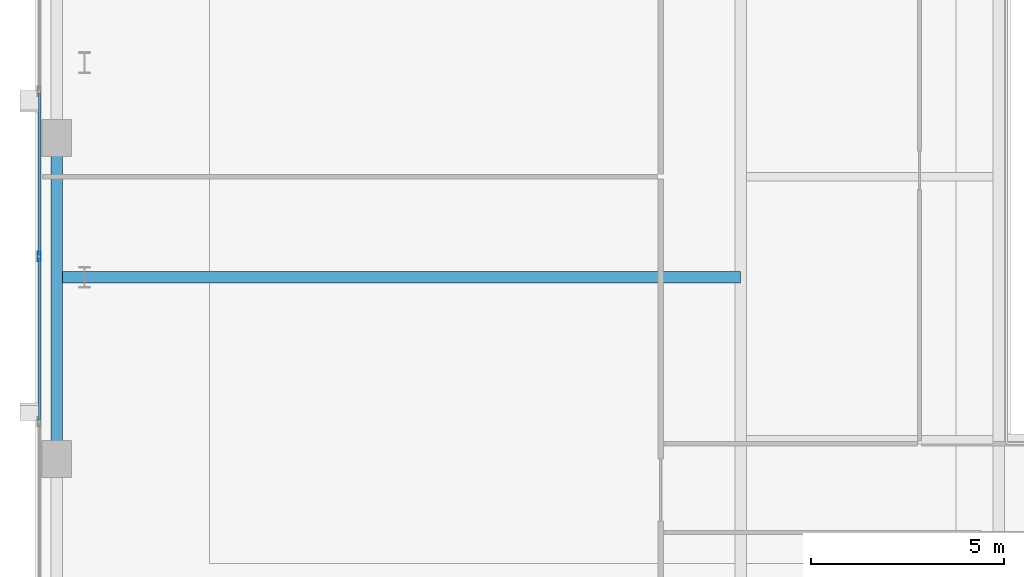
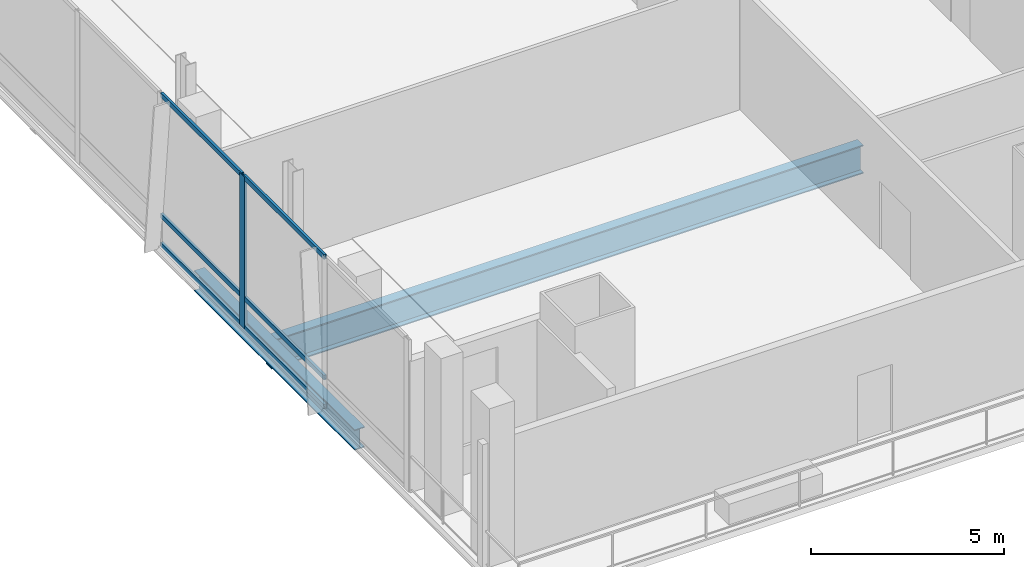
# One storey, part 6 of 25: 7 members, 2 beams, 1 element without a shape of its own.
"""IFC4 building model written with IfcOpenShell, lengths in metres."""

from ifc_helpers import new_model, si_unit, direction, frame, origin, origin_2d, place, context, subcontext, project, spatial, hollow_rectangle, i_section, extrude, material, material_profile, profile_set, type_object, element, aggregate, save


model = new_model("IFC4")

# Units and contexts
model_context = context("Model", 3, precision=1e-05, world=origin(), true_north=direction((0.0, 1.0)))
body_context = subcontext(model_context, "Body", "Model", "MODEL_VIEW")
ifc_project = project(units=[si_unit("LENGTHUNIT", "METRE"), si_unit("AREAUNIT", "SQUARE_METRE"), si_unit("VOLUMEUNIT", "CUBIC_METRE"), si_unit("PLANEANGLEUNIT", "RADIAN"), si_unit("MASSUNIT", "GRAM", prefix="KILO")], contexts=[model_context])

# Site, building, storey
site_placement = place(None, origin())
site = spatial("IfcSite", under=ifc_project, at=site_placement, CompositionType="ELEMENT")
building_placement = place(site_placement, origin())
building = spatial("IfcBuilding", under=site, at=building_placement, Name="Khoronbel Lancet Exchange", CompositionType="ELEMENT")
storey_placement = place(building_placement, frame((0.0, 0.0, 10.39990234375)))
storey = spatial("IfcBuildingStorey", under=building, at=storey_placement, Name="L02", CompositionType="ELEMENT", Elevation=10.39990234375)

# Beams
ifc_material_1 = material(Name="Steel S355", Category="steel")
ifc_material_profile_1 = material_profile(ifc_material_1, i_section(OverallWidth=0.300048828125, OverallDepth=0.89990234375, WebThickness=0.0185546875, FlangeThickness=0.034912109375, at=origin_2d()), Name="HEB 900")
ifc_profile_set_1 = profile_set([ifc_material_profile_1], Name="Steel S355")
beam_type_1 = type_object("IfcBeamType", Name="BM-BG1", PredefinedType="BEAM", material=ifc_profile_set_1)
beam_1_placement = place(storey_placement, frame((0.550048828125, 19.199951171875, -0.64990234375), z_axis=(1.0, 0.0, 0.0), x_axis=(0.0, 1.0, 0.0)))
element("IfcBeam", 1, at=beam_1_placement, inside=storey, type_object=beam_type_1, Name="Level L02 west lens tie girder LG1W", PredefinedType="BEAM", context=body_context, shape_type="SweptSolid", body=[
    extrude(i_section(OverallWidth=0.300048828125, OverallDepth=0.89990234375, WebThickness=0.0185546875, FlangeThickness=0.034912109375, at=origin_2d()), origin(), (0.0, 0.0, 1.0), 17.675048828125),
])
ifc_material_profile_2 = material_profile(ifc_material_1, i_section(OverallWidth=0.300048828125, OverallDepth=0.64990234375, WebThickness=0.01611328125, FlangeThickness=0.031005859375, at=origin_2d()), Name="HEB 650")
ifc_profile_set_2 = profile_set([ifc_material_profile_2], Name="Steel S355")
beam_type_2 = type_object("IfcBeamType", Name="BM-BSP1", PredefinedType="SPANDREL", material=ifc_profile_set_2)
beam_2_placement = place(storey_placement, frame((0.550048828125, 22.800048828125, -0.52490234375), z_axis=(0.0, -1.0, 0.0), x_axis=(1.0, 0.0, 0.0)))
element("IfcBeam", 2, at=beam_2_placement, inside=storey, type_object=beam_type_2, Name="Level L02 perimeter spandrel beam SP18", PredefinedType="SPANDREL", context=body_context, shape_type="SweptSolid", body=[
    extrude(i_section(OverallWidth=0.300048828125, OverallDepth=0.64990234375, WebThickness=0.01611328125, FlangeThickness=0.031005859375, at=origin_2d()), origin(), (0.0, 0.0, 1.0), 8.300048828125),
])

# Curtain wall, members
ifc_material_2 = material(Name="Low-E Solar Control Insulating Glass", Category="glass")
curtain_wall_type = type_object("IfcCurtainWallType", Name="CW-5", PredefinedType="NOTDEFINED", material=ifc_material_2)
curtain_wall_placement = place(storey_placement, origin())
curtain_wall = element("IfcCurtainWall", 3, at=curtain_wall_placement, inside=storey, type_object=curtain_wall_type, Name="Unitised curtain wall CW-L02-WEST", PredefinedType="NOTDEFINED")
ifc_material_3 = material(Name="Bronze-Anodised Aluminium 6063-T6", Category="aluminium")
ifc_material_profile_3 = material_profile(ifc_material_3, hollow_rectangle(XDim=0.0849609375, YDim=0.239990234375, WallThickness=0.006103515625, at=origin_2d()), Name="ALU MULLION 85x240")
ifc_profile_set_3 = profile_set([ifc_material_profile_3], Name="Bronze-Anodised Aluminium 6063-T6")
member_type_1 = type_object("IfcMemberType", Name="MEM-CWM1", PredefinedType="MULLION", material=ifc_profile_set_3)
member_1_placement = place(storey_placement, frame((0.10009765625, 19.7333984375, 0.0), z_axis=(0.0, 0.0, 1.0), x_axis=(1.0, 0.0, 0.0)))
member_1 = element("IfcMember", 4, at=member_1_placement, type_object=member_type_1, Name="CW5 mullion 8", PredefinedType="MULLION", context=body_context, shape_type="SweptSolid", body=[
    extrude(hollow_rectangle(XDim=0.0849609375, YDim=0.239990234375, WallThickness=0.006103515625, at=origin_2d()), origin(), (0.0, 0.0, 1.0), 4.800048828125),
])
ifc_material_profile_4 = material_profile(ifc_material_3, hollow_rectangle(XDim=0.074951171875, YDim=0.14990234375, WallThickness=0.00439453125, at=origin_2d()), Name="ALU TRANSOM 75x150")
ifc_profile_set_4 = profile_set([ifc_material_profile_4], Name="Bronze-Anodised Aluminium 6063-T6")
member_type_2 = type_object("IfcMemberType", Name="MEM-CWT2", PredefinedType="USERDEFINED", material=ifc_profile_set_4)
member_2_placement = place(storey_placement, frame((0.10009765625, 23.95751953125, 0.03759765625), z_axis=(0.0, -1.0, 0.0), x_axis=(1.0, 0.0, 0.0)))
member_2 = element("IfcMember", 5, at=member_2_placement, type_object=member_type_2, Name="CW5 transom 7.1", ObjectType="TRANSOM", PredefinedType="USERDEFINED", context=body_context, shape_type="SweptSolid", body=[
    extrude(hollow_rectangle(XDim=0.074951171875, YDim=0.14990234375, WallThickness=0.00439453125, at=origin_2d()), origin(), (0.0, 0.0, 1.0), 4.181640625),
])
member_3_placement = place(storey_placement, frame((0.10009765625, 23.95751953125, 0.9501953125), z_axis=(0.0, -1.0, 0.0), x_axis=(1.0, 0.0, 0.0)))
member_3 = element("IfcMember", 6, at=member_3_placement, type_object=member_type_2, Name="CW5 transom 7.2", ObjectType="TRANSOM", PredefinedType="USERDEFINED", context=body_context, shape_type="SweptSolid", body=[
    extrude(hollow_rectangle(XDim=0.074951171875, YDim=0.14990234375, WallThickness=0.00439453125, at=origin_2d()), origin(), (0.0, 0.0, 1.0), 4.181640625),
])
member_4_placement = place(storey_placement, frame((0.10009765625, 23.95751953125, 4.7626953125), z_axis=(0.0, -1.0, 0.0), x_axis=(1.0, 0.0, 0.0)))
member_4 = element("IfcMember", 7, at=member_4_placement, type_object=member_type_2, Name="CW5 transom 7.3", ObjectType="TRANSOM", PredefinedType="USERDEFINED", context=body_context, shape_type="SweptSolid", body=[
    extrude(hollow_rectangle(XDim=0.074951171875, YDim=0.14990234375, WallThickness=0.00439453125, at=origin_2d()), origin(), (0.0, 0.0, 1.0), 4.181640625),
])
member_5_placement = place(storey_placement, frame((0.10009765625, 19.69091796875, 0.03759765625), z_axis=(0.0, -1.0, 0.0), x_axis=(1.0, 0.0, 0.0)))
member_5 = element("IfcMember", 8, at=member_5_placement, type_object=member_type_2, Name="CW5 transom 8.1", ObjectType="TRANSOM", PredefinedType="USERDEFINED", context=body_context, shape_type="SweptSolid", body=[
    extrude(hollow_rectangle(XDim=0.074951171875, YDim=0.14990234375, WallThickness=0.00439453125, at=origin_2d()), origin(), (0.0, 0.0, 1.0), 4.181640625),
])
member_6_placement = place(storey_placement, frame((0.10009765625, 19.69091796875, 0.9501953125), z_axis=(0.0, -1.0, 0.0), x_axis=(1.0, 0.0, 0.0)))
member_6 = element("IfcMember", 9, at=member_6_placement, type_object=member_type_2, Name="CW5 transom 8.2", ObjectType="TRANSOM", PredefinedType="USERDEFINED", context=body_context, shape_type="SweptSolid", body=[
    extrude(hollow_rectangle(XDim=0.074951171875, YDim=0.14990234375, WallThickness=0.00439453125, at=origin_2d()), origin(), (0.0, 0.0, 1.0), 4.181640625),
])
member_7_placement = place(storey_placement, frame((0.10009765625, 19.69091796875, 4.7626953125), z_axis=(0.0, -1.0, 0.0), x_axis=(1.0, 0.0, 0.0)))
member_7 = element("IfcMember", 10, at=member_7_placement, type_object=member_type_2, Name="CW5 transom 8.3", ObjectType="TRANSOM", PredefinedType="USERDEFINED", context=body_context, shape_type="SweptSolid", body=[
    extrude(hollow_rectangle(XDim=0.074951171875, YDim=0.14990234375, WallThickness=0.00439453125, at=origin_2d()), origin(), (0.0, 0.0, 1.0), 4.181640625),
])
aggregate(curtain_wall, [member_1, member_2, member_3, member_4, member_5, member_6, member_7])

save(model, "model.ifc")
